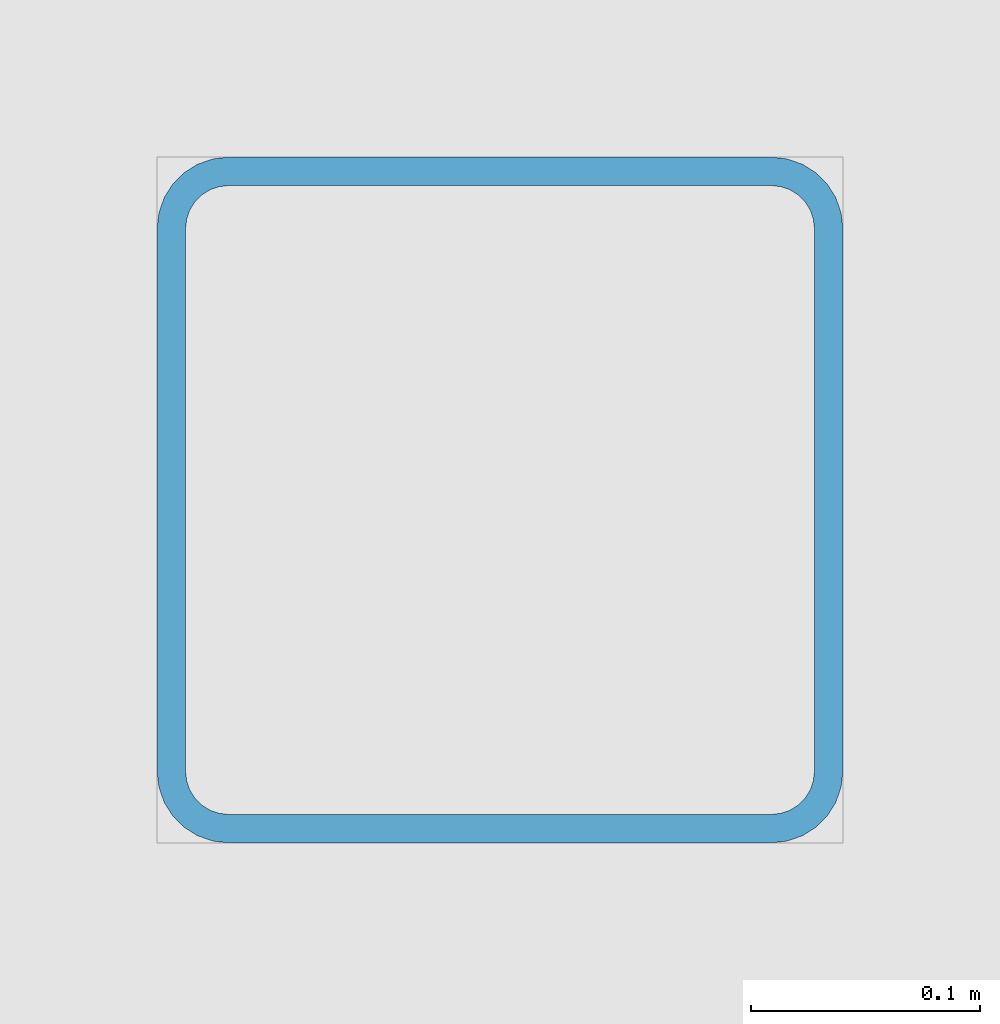
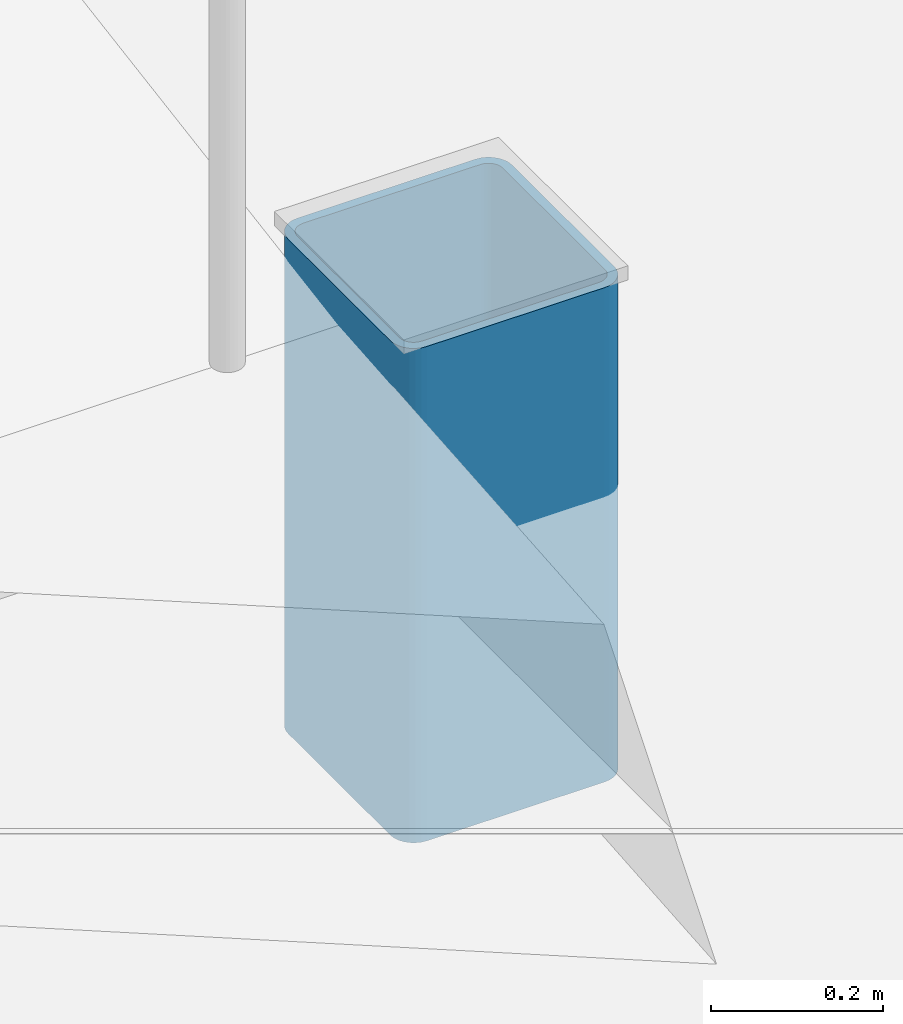
# One storey, part 8 of 37: 1 column.
"""IFC4 building model written with IfcOpenShell, lengths in metres."""

from ifc_helpers import new_model, si_unit, direction, frame, origin, origin_2d, place, context, subcontext, project, spatial, hollow_rectangle, extrude, material, material_profile, profile_set, type_object, element, save


model = new_model("IFC4")

# Units and contexts
model_context = context("Model", 3, precision=1e-05, world=origin(), true_north=direction((0.0, 1.0)))
body_context = subcontext(model_context, "Body", "Model", "MODEL_VIEW")
ifc_project = project(units=[si_unit("LENGTHUNIT", "METRE"), si_unit("AREAUNIT", "SQUARE_METRE"), si_unit("VOLUMEUNIT", "CUBIC_METRE"), si_unit("PLANEANGLEUNIT", "RADIAN"), si_unit("MASSUNIT", "GRAM", prefix="KILO")], contexts=[model_context])

# Site, building, storey
site_placement = place(None, origin())
site = spatial("IfcSite", under=ifc_project, at=site_placement, CompositionType="ELEMENT")
building_placement = place(site_placement, origin())
building = spatial("IfcBuilding", under=site, at=building_placement, Name="Quoin Convention Tower", CompositionType="ELEMENT")
storey_placement = place(building_placement, frame((0.0, 0.0, -9.0)))
storey = spatial("IfcBuildingStorey", under=building, at=storey_placement, Name="B2", CompositionType="ELEMENT", Elevation=-9.0)

# Column
ifc_material = material(Name="Steel Grade 350", Category="steel")
ifc_material_profile = material_profile(ifc_material, hollow_rectangle(XDim=0.300048828125, YDim=0.300048828125, WallThickness=0.012451171875, InnerFilletRadius=0.018798828125, OuterFilletRadius=0.03125, at=origin_2d()), Name="300x300x12.5SHS")
ifc_profile_set = profile_set([ifc_material_profile], Name="Steel Grade 350")
column_type = type_object("IfcColumnType", Name="Ramp support post 300x300x12.5SHS", PredefinedType="COLUMN", material=ifc_profile_set)
column_placement = place(storey_placement, frame((94.64990234375, 31.14990234375, -0.39990234375), z_axis=(0.0, 0.0, 1.0), x_axis=(1.0, 0.0, 0.0)))
element("IfcColumn", 1, at=column_placement, inside=storey, type_object=column_type, Name="rp2lo-B2", PredefinedType="COLUMN", context=body_context, shape_type="SweptSolid", body=[
    extrude(hollow_rectangle(XDim=0.300048828125, YDim=0.300048828125, WallThickness=0.012451171875, InnerFilletRadius=0.018798828125, OuterFilletRadius=0.03125, at=origin_2d()), origin(), (0.0, 0.0, 1.0), 0.699951171875),
])

save(model, "model.ifc")
